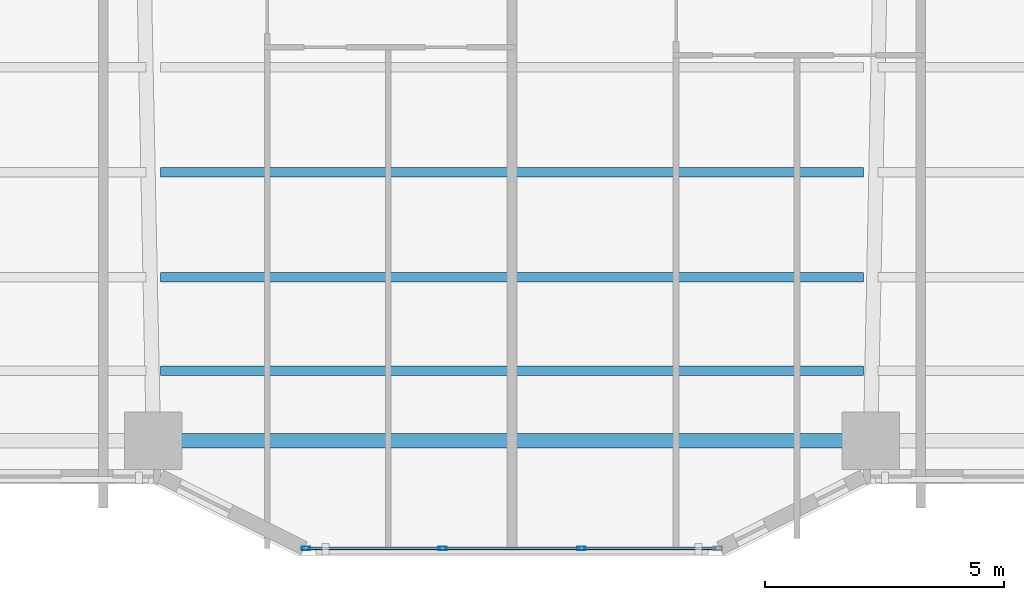
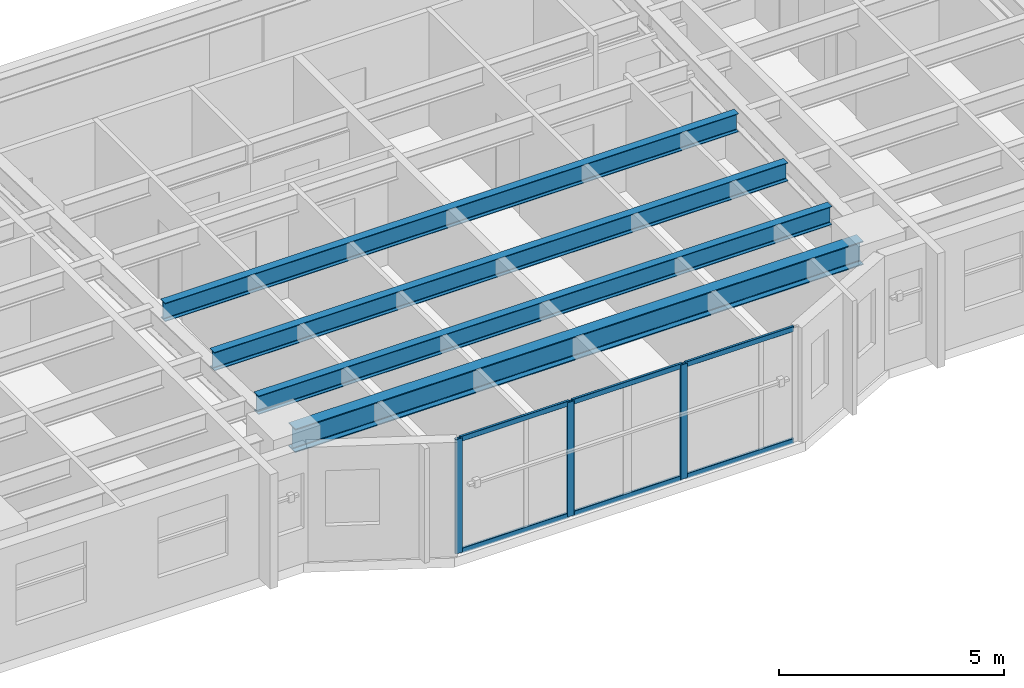
# One storey, part 2 of 22: 9 members, 4 beams, 1 element without a shape of its own.
"""IFC4 building model written with IfcOpenShell, lengths in metres."""

from ifc_helpers import new_model, si_unit, direction, frame, origin, origin_2d, place, context, subcontext, project, spatial, hollow_rectangle, i_section, extrude, material, layer, layer_set, material_profile, profile_set, type_object, element, aggregate, save


model = new_model("IFC4")

# Units and contexts
model_context = context("Model", 3, precision=1e-05, world=origin(), true_north=direction((0.0, 1.0)))
body_context = subcontext(model_context, "Body", "Model", "MODEL_VIEW")
ifc_project = project(units=[si_unit("LENGTHUNIT", "METRE"), si_unit("AREAUNIT", "SQUARE_METRE"), si_unit("VOLUMEUNIT", "CUBIC_METRE"), si_unit("PLANEANGLEUNIT", "RADIAN"), si_unit("MASSUNIT", "GRAM", prefix="KILO")], contexts=[model_context])

# Site, building, storey
site_placement = place(None, origin())
site = spatial("IfcSite", under=ifc_project, at=site_placement, CompositionType="ELEMENT")
building_placement = place(site_placement, origin())
building = spatial("IfcBuilding", under=site, at=building_placement, Name="Tarnavaz Court Tower", CompositionType="ELEMENT")
storey_placement = place(building_placement, frame((0.0, 0.0, 57.5)))
storey = spatial("IfcBuildingStorey", under=building, at=storey_placement, Name="L15", CompositionType="ELEMENT", Elevation=57.5)

# Beams
ifc_material_1 = material(Name="Steel S355", Category="steel")
ifc_material_profile_1 = material_profile(ifc_material_1, i_section(OverallWidth=0.199951171875, OverallDepth=0.5, WebThickness=0.01025390625, FlangeThickness=0.01611328125, FilletRadius=0.02099609375, at=origin_2d()), Name="IPE 500")
ifc_profile_set_1 = profile_set([ifc_material_profile_1], Name="Steel S355")
beam_type_1 = type_object("IfcBeamType", Name="BM-J-IPE500", PredefinedType="JOIST", material=ifc_profile_set_1)
for number, where, z_axis, x_axis, name in (
    (1, (-7.35009765625, -17.18798828125, 2.85009765625), (1.0, 0.0, 0.0), (0.0, 1.0, 0.0), "L15 Beam JS3-2"),
    (2, (-7.35009765625, -19.384033203125, 2.85009765625), (1.0, 0.0, 0.0), (0.0, 1.0, 0.0), "L15 Beam JS4-2"),
    (3, (-7.35009765625, -21.3359375, 2.85009765625), (1.0, 0.0, 0.0), (0.0, 1.0, 0.0), "L15 Beam JS5-2"),
):
    element("IfcBeam", number, at=place(storey_placement, frame(where, z_axis=z_axis, x_axis=x_axis)), inside=storey, type_object=beam_type_1, Name=name, PredefinedType="JOIST", context=body_context, shape_type="SweptSolid", body=[
        extrude(i_section(OverallWidth=0.199951171875, OverallDepth=0.5, WebThickness=0.01025390625, FlangeThickness=0.01611328125, FilletRadius=0.02099609375, at=origin_2d()), origin(), (0.0, 0.0, 1.0), 14.7001953125),
    ])
ifc_material_profile_2 = material_profile(ifc_material_1, i_section(OverallWidth=0.300048828125, OverallDepth=0.639892578125, WebThickness=0.013427734375, FlangeThickness=0.02587890625, FilletRadius=0.027099609375, at=origin_2d()), Name="HEA 650")
ifc_profile_set_2 = profile_set([ifc_material_profile_2], Name="Steel S355")
beam_type_2 = type_object("IfcBeamType", Name="BM-SP-HEA650", PredefinedType="SPANDREL", material=ifc_profile_set_2)
beam_placement = place(storey_placement, frame((-7.280029296875, -22.800048828125, 2.780029296875), z_axis=(1.0, 0.0, 0.0), x_axis=(0.0, 1.0, 0.0)))
element("IfcBeam", 4, at=beam_placement, inside=storey, type_object=beam_type_2, Name="L15 Beam PR-PS-2-PS-3", PredefinedType="SPANDREL", context=body_context, shape_type="SweptSolid", body=[
    extrude(i_section(OverallWidth=0.300048828125, OverallDepth=0.639892578125, WebThickness=0.013427734375, FlangeThickness=0.02587890625, FilletRadius=0.027099609375, at=origin_2d()), origin(), (0.0, 0.0, 1.0), 14.56005859375),
])

# Curtain wall, members
ifc_material_2 = material(Name="Anodised Aluminium 6063-T6 and Solar Low-E Glazing", Category="aluminium")
ifc_layer = layer(ifc_material_2, 0.179931640625)
ifc_layer_set = layer_set([ifc_layer], Name="Anodised Aluminium 6063-T6 and Solar Low-E Glazing")
curtain_wall_type = type_object("IfcCurtainWallType", Name="CW-SYS-02", PredefinedType="NOTDEFINED", material=ifc_layer_set)
curtain_wall_placement = place(storey_placement, origin())
curtain_wall = element("IfcCurtainWall", 5, at=curtain_wall_placement, inside=storey, type_object=curtain_wall_type, Name="L15 Iwan Prow Curtain Wall 17", PredefinedType="NOTDEFINED")
ifc_material_3 = material(Name="Anodised Aluminium 6063-T6", Category="aluminium")
ifc_material_profile_3 = material_profile(ifc_material_3, hollow_rectangle(XDim=0.074951171875, YDim=0.179931640625, WallThickness=0.0048828125, InnerFilletRadius=0.0048828125, OuterFilletRadius=0.010009765625, at=origin_2d()), Name="ALU RHS 180X75X5")
ifc_profile_set_3 = profile_set([ifc_material_profile_3], Name="Anodised Aluminium 6063-T6")
member_type_1 = type_object("IfcMemberType", Name="CW-MUL-180", PredefinedType="MULLION", material=ifc_profile_set_3)
member_1_placement = place(storey_placement, frame((1.449951171875, -25.050048828125, 0.0), z_axis=(0.0, 0.0, 1.0), x_axis=(0.0, -1.0, 0.0)))
member_1 = element("IfcMember", 6, at=member_1_placement, type_object=member_type_1, Name="CW mullion 2", PredefinedType="MULLION", context=body_context, shape_type="SweptSolid", body=[
    extrude(hollow_rectangle(XDim=0.074951171875, YDim=0.179931640625, WallThickness=0.0048828125, InnerFilletRadius=0.0048828125, OuterFilletRadius=0.010009765625, at=origin_2d()), origin(), (0.0, 0.0, 1.0), 3.10009765625),
])
member_2_placement = place(storey_placement, frame((-1.449951171875, -25.050048828125, 0.0), z_axis=(0.0, 0.0, 1.0), x_axis=(0.0, -1.0, 0.0)))
member_2 = element("IfcMember", 7, at=member_2_placement, type_object=member_type_1, Name="CW mullion 3", PredefinedType="MULLION", context=body_context, shape_type="SweptSolid", body=[
    extrude(hollow_rectangle(XDim=0.074951171875, YDim=0.179931640625, WallThickness=0.0048828125, InnerFilletRadius=0.0048828125, OuterFilletRadius=0.010009765625, at=origin_2d()), origin(), (0.0, 0.0, 1.0), 3.10009765625),
])
member_3_placement = place(storey_placement, frame((-4.3125, -25.050048828125, 0.0), z_axis=(0.0, 0.0, 1.0), x_axis=(0.0, -1.0, 0.0)))
member_3 = element("IfcMember", 8, at=member_3_placement, type_object=member_type_1, Name="CW mullion 4", PredefinedType="MULLION", context=body_context, shape_type="SweptSolid", body=[
    extrude(hollow_rectangle(XDim=0.074951171875, YDim=0.179931640625, WallThickness=0.0048828125, InnerFilletRadius=0.0048828125, OuterFilletRadius=0.010009765625, at=origin_2d()), origin(), (0.0, 0.0, 1.0), 3.10009765625),
])
ifc_material_profile_4 = material_profile(ifc_material_3, hollow_rectangle(XDim=0.06494140625, YDim=0.139892578125, WallThickness=0.00390625, InnerFilletRadius=0.00390625, OuterFilletRadius=0.008056640625, at=origin_2d()), Name="ALU RHS 140X65X4")
ifc_profile_set_4 = profile_set([ifc_material_profile_4], Name="Anodised Aluminium 6063-T6")
member_type_2 = type_object("IfcMemberType", Name="CW-TRN-140", PredefinedType="USERDEFINED", material=ifc_profile_set_4)
member_4_placement = place(storey_placement, frame((4.27490234375, -25.050048828125, 0.032470703125), z_axis=(-1.0, 0.0, 0.0), x_axis=(0.0, -1.0, 0.0)))
member_4 = element("IfcMember", 9, at=member_4_placement, type_object=member_type_2, Name="CW transom 1.1", ObjectType="TRANSOM", PredefinedType="USERDEFINED", context=body_context, shape_type="SweptSolid", body=[
    extrude(hollow_rectangle(XDim=0.06494140625, YDim=0.139892578125, WallThickness=0.00390625, InnerFilletRadius=0.00390625, OuterFilletRadius=0.008056640625, at=origin_2d()), origin(), (0.0, 0.0, 1.0), 2.787353515625),
])
member_5_placement = place(storey_placement, frame((4.27490234375, -25.050048828125, 3.0673828125), z_axis=(-1.0, 0.0, 0.0), x_axis=(0.0, -1.0, 0.0)))
member_5 = element("IfcMember", 10, at=member_5_placement, type_object=member_type_2, Name="CW transom 1.2", ObjectType="TRANSOM", PredefinedType="USERDEFINED", context=body_context, shape_type="SweptSolid", body=[
    extrude(hollow_rectangle(XDim=0.06494140625, YDim=0.139892578125, WallThickness=0.00390625, InnerFilletRadius=0.00390625, OuterFilletRadius=0.008056640625, at=origin_2d()), origin(), (0.0, 0.0, 1.0), 2.787353515625),
])
member_6_placement = place(storey_placement, frame((1.41259765625, -25.050048828125, 0.032470703125), z_axis=(-1.0, 0.0, 0.0), x_axis=(0.0, -1.0, 0.0)))
member_6 = element("IfcMember", 11, at=member_6_placement, type_object=member_type_2, Name="CW transom 2.1", ObjectType="TRANSOM", PredefinedType="USERDEFINED", context=body_context, shape_type="SweptSolid", body=[
    extrude(hollow_rectangle(XDim=0.06494140625, YDim=0.139892578125, WallThickness=0.00390625, InnerFilletRadius=0.00390625, OuterFilletRadius=0.008056640625, at=origin_2d()), origin(), (0.0, 0.0, 1.0), 2.8251953125),
])
member_7_placement = place(storey_placement, frame((1.41259765625, -25.050048828125, 3.0673828125), z_axis=(-1.0, 0.0, 0.0), x_axis=(0.0, -1.0, 0.0)))
member_7 = element("IfcMember", 12, at=member_7_placement, type_object=member_type_2, Name="CW transom 2.2", ObjectType="TRANSOM", PredefinedType="USERDEFINED", context=body_context, shape_type="SweptSolid", body=[
    extrude(hollow_rectangle(XDim=0.06494140625, YDim=0.139892578125, WallThickness=0.00390625, InnerFilletRadius=0.00390625, OuterFilletRadius=0.008056640625, at=origin_2d()), origin(), (0.0, 0.0, 1.0), 2.8251953125),
])
member_8_placement = place(storey_placement, frame((-1.487548828125, -25.050048828125, 0.032470703125), z_axis=(-1.0, 0.0, 0.0), x_axis=(0.0, -1.0, 0.0)))
member_8 = element("IfcMember", 13, at=member_8_placement, type_object=member_type_2, Name="CW transom 3.1", ObjectType="TRANSOM", PredefinedType="USERDEFINED", context=body_context, shape_type="SweptSolid", body=[
    extrude(hollow_rectangle(XDim=0.06494140625, YDim=0.139892578125, WallThickness=0.00390625, InnerFilletRadius=0.00390625, OuterFilletRadius=0.008056640625, at=origin_2d()), origin(), (0.0, 0.0, 1.0), 2.787353515625),
])
member_9_placement = place(storey_placement, frame((-1.487548828125, -25.050048828125, 3.0673828125), z_axis=(-1.0, 0.0, 0.0), x_axis=(0.0, -1.0, 0.0)))
member_9 = element("IfcMember", 14, at=member_9_placement, type_object=member_type_2, Name="CW transom 3.2", ObjectType="TRANSOM", PredefinedType="USERDEFINED", context=body_context, shape_type="SweptSolid", body=[
    extrude(hollow_rectangle(XDim=0.06494140625, YDim=0.139892578125, WallThickness=0.00390625, InnerFilletRadius=0.00390625, OuterFilletRadius=0.008056640625, at=origin_2d()), origin(), (0.0, 0.0, 1.0), 2.787353515625),
])
aggregate(curtain_wall, [member_1, member_2, member_3, member_4, member_5, member_6, member_7, member_8, member_9])

save(model, "model.ifc")
